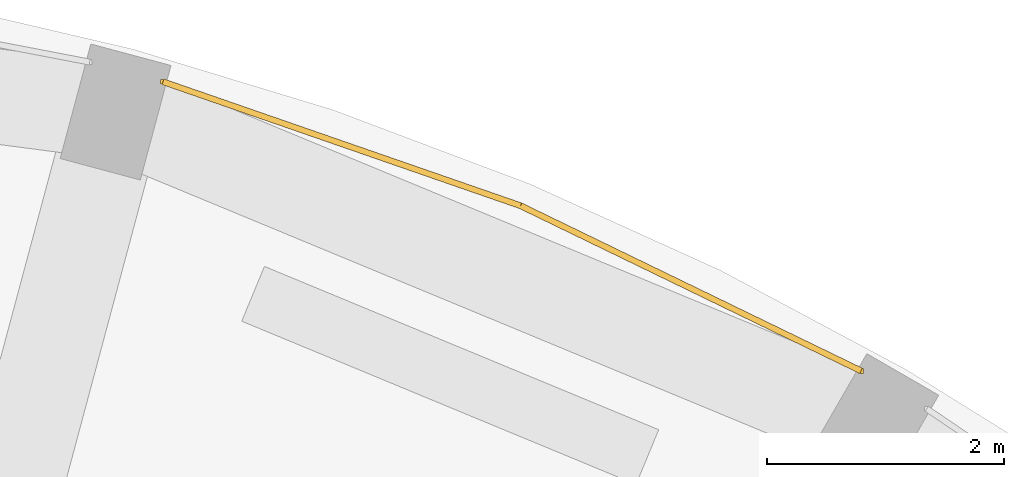
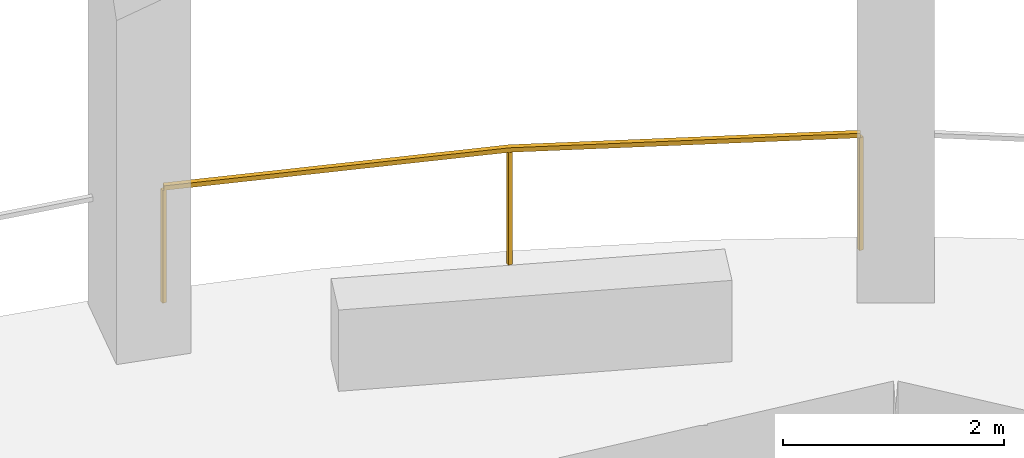
# One storey, part 9 of 9: 1 railing.
"""IFC4 building model written with IfcOpenShell, lengths in metres."""

from ifc_helpers import new_model, si_unit, direction, frame, origin, origin_2d, place, context, subcontext, project, spatial, rectangle, extrude, material, type_object, element, save


model = new_model("IFC4")

# Units and contexts
model_context = context("Model", 3, precision=1e-05, world=origin(), true_north=direction((0.0, 1.0)))
body_context = subcontext(model_context, "Body", "Model", "MODEL_VIEW")
ifc_project = project(units=[si_unit("LENGTHUNIT", "METRE"), si_unit("AREAUNIT", "SQUARE_METRE"), si_unit("VOLUMEUNIT", "CUBIC_METRE"), si_unit("PLANEANGLEUNIT", "RADIAN"), si_unit("MASSUNIT", "GRAM", prefix="KILO")], contexts=[model_context])

# Site, building, storey
site_placement = place(None, origin())
site = spatial("IfcSite", under=ifc_project, at=site_placement, CompositionType="ELEMENT")
building_placement = place(site_placement, origin())
building = spatial("IfcBuilding", under=site, at=building_placement, Name="Torre Triforio", CompositionType="ELEMENT")
storey_placement = place(building_placement, frame((0.0, 0.0, 39.0)))
storey = spatial("IfcBuildingStorey", under=building, at=storey_placement, Name="L07", CompositionType="ELEMENT", Elevation=39.0)

# Railing
ifc_material = material(Name="Stainless steel AISI 316", Category="steel")
railing_type = type_object("IfcRailingType", Name="Loggia guard 1300", PredefinedType="GUARDRAIL", material=ifc_material)
railing_placement = place(storey_placement, frame((13.14794921875, 23.412841796875, 0.0)))
element("IfcRailing", 1, at=railing_placement, inside=storey, type_object=railing_type, Name="Loggia guard L07 bay 05", PredefinedType="GUARDRAIL", context=body_context, shape_type="SweptSolid", body=[
    extrude(rectangle(XDim=0.050048828125, YDim=0.050048828125, at=origin_2d()), frame((0.0, 0.0, 1.27490234375), z_axis=(-0.899760432952, 0.436384192305, 0.0), x_axis=(-0.436384192305, -0.899760432952, 0.0)), (0.0, 0.0, 1.0), 3.19287109375),
    extrude(rectangle(XDim=0.050048828125, YDim=0.050048828125, at=origin_2d()), frame((-2.872802734375, 1.393310546875, 1.27490234375), z_axis=(-0.94480685358, 0.327627852034, 0.0), x_axis=(-0.327627852034, -0.94480685358, 0.0)), (0.0, 0.0, 1.0), 3.193115234375),
    extrude(rectangle(XDim=0.0400390625, YDim=0.0400390625, at=origin_2d()), origin(), (0.0, 0.0, 1.0), 1.25),
    extrude(rectangle(XDim=0.0400390625, YDim=0.0400390625, at=origin_2d()), frame((-2.872802734375, 1.393310546875, 0.0)), (0.0, 0.0, 1.0), 1.25),
    extrude(rectangle(XDim=0.0400390625, YDim=0.0400390625, at=origin_2d()), frame((-5.8896484375, 2.439453125, 0.0)), (0.0, 0.0, 1.0), 1.25),
])

save(model, "model.ifc")
